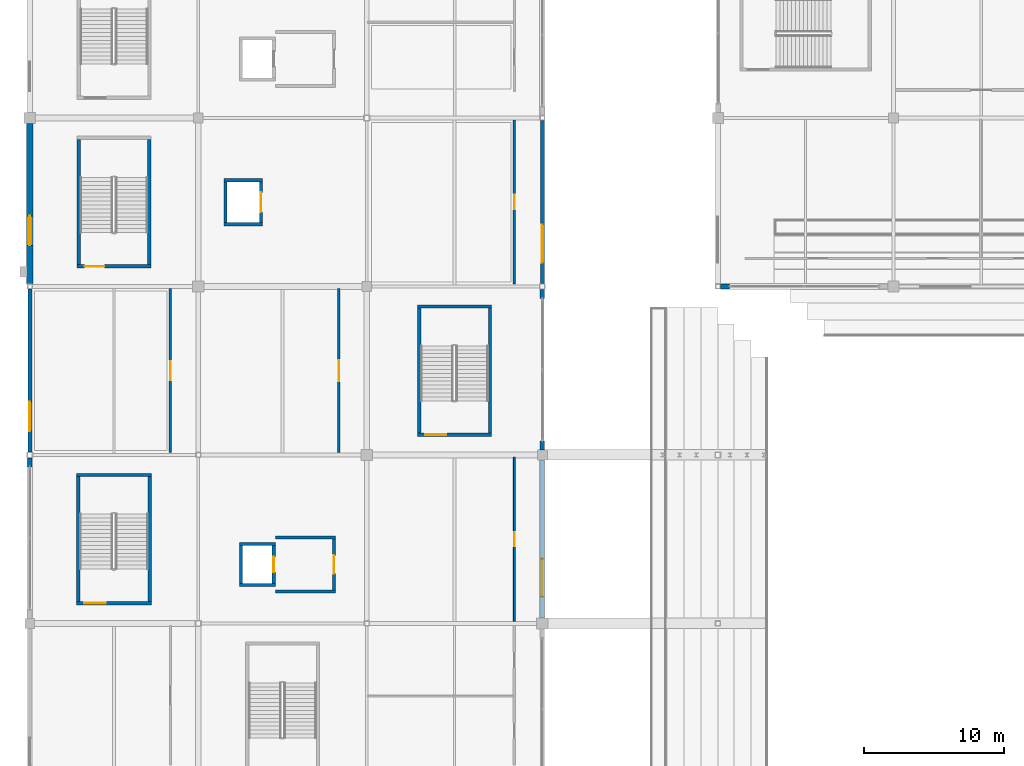
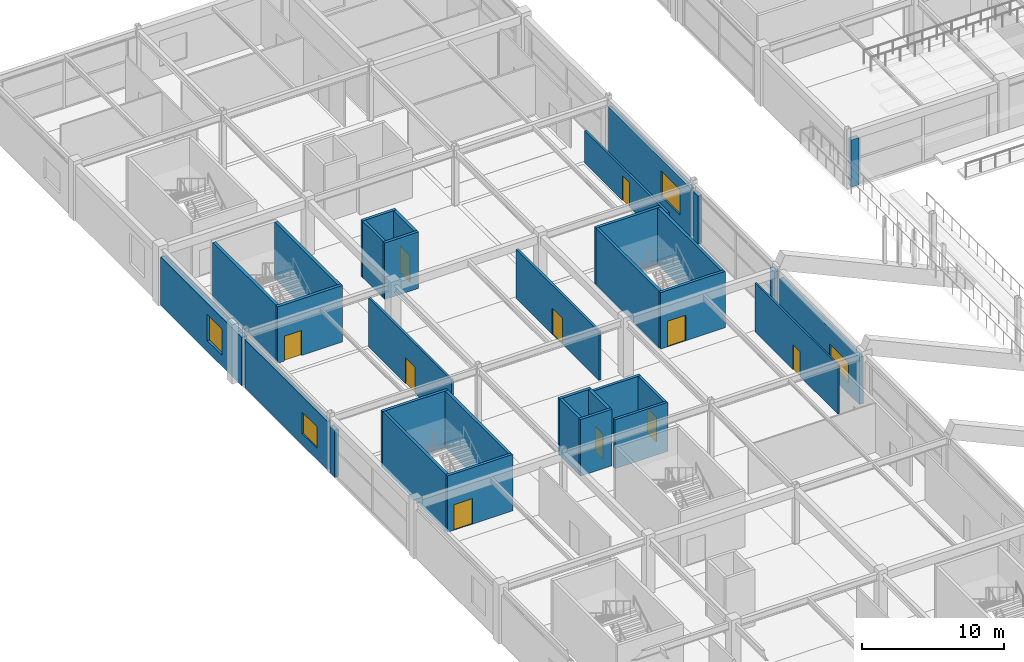
# One storey, part 89 of 128: 34 walls, 10 doors, 4 windows, 14 openings.
"""IFC4 building model written with IfcOpenShell, lengths in metres."""

from ifc_helpers import new_model, si_unit, direction, frame, frame_2d, origin, place, context, subcontext, project, spatial, rectangle, extrude, material, layer, layer_set, type_object, element, fill, save


model = new_model("IFC4")

# Units and contexts
model_context = context("Model", 3, precision=1e-05, world=origin(), true_north=direction((0.0, 1.0)))
body_context = subcontext(model_context, "Body", "Model", "MODEL_VIEW")
ifc_project = project(units=[si_unit("LENGTHUNIT", "METRE"), si_unit("AREAUNIT", "SQUARE_METRE"), si_unit("VOLUMEUNIT", "CUBIC_METRE"), si_unit("PLANEANGLEUNIT", "RADIAN"), si_unit("MASSUNIT", "GRAM", prefix="KILO")], contexts=[model_context])

# Site, building, storey
site_placement = place(None, origin())
site = spatial("IfcSite", under=ifc_project, at=site_placement, CompositionType="ELEMENT")
building_placement = place(site_placement, origin())
building = spatial("IfcBuilding", under=site, at=building_placement, Name="Kazenohara Klinker Stadium", CompositionType="ELEMENT")
storey_placement = place(building_placement, frame((0.0, 0.0, 15.300048828125)))
storey = spatial("IfcBuildingStorey", under=building, at=storey_placement, Name="L03", CompositionType="ELEMENT", Elevation=15.300048828125)

# Wall, opening, door
ifc_material_1 = material(Name="Concrete C40/50", Category="concrete")
ifc_layer_1 = layer(ifc_material_1, 0.22998046875)
ifc_layer_set_1 = layer_set([ifc_layer_1], Name="Concrete C40/50")
wall_type_1 = type_object("IfcWallType", Name="WAL-CORE-230", PredefinedType="SHEAR", material=ifc_layer_set_1)
wall_1_placement = place(storey_placement, frame((3.340087890625, 109.43505859375, 0.0), z_axis=(0.0, 0.0, 1.0), x_axis=(1.0, 0.0, 0.0)))
wall_1 = element("IfcWall", 1, at=wall_1_placement, inside=storey, type_object=wall_type_1, Name="Stairwell shear wall ST04 L03 South", PredefinedType="SHEAR", context=body_context, shape_type="SweptSolid", body=[
    extrude(rectangle(XDim=5.31982421875, YDim=0.22998046875, at=frame_2d((2.659912109375, 0.0))), origin(), (0.0, 0.0, 1.0), 4.85986328125),
])
opening_1_placement = place(wall_1_placement, frame((0.550048828125, 0.0, 0.0)))
opening_1 = element("IfcOpeningElement", 2, at=opening_1_placement, cuts=wall_1, Name="Opening SD02", PredefinedType="OPENING", context=body_context, shape_type="SweptSolid", body=[
    extrude(rectangle(XDim=1.5, YDim=2.199951171875, at=frame_2d((0.75, 1.10009765625))), frame((0.0, 0.125, 0.0), z_axis=(0.0, -1.0, 0.0), x_axis=(1.0, 0.0, 0.0)), (0.0, 0.0, 1.0), 0.25),
])
ifc_material_2 = material(Name="Flush painted steel fire door leaf", Category="steel")
door_type_1 = type_object("IfcDoorType", Name="DR-STR-1500x2200", OperationType="NOTDEFINED", PredefinedType="DOOR", material=ifc_material_2)
door_1_placement = place(opening_1_placement, origin())
door_1 = element("IfcDoor", 3, at=door_1_placement, inside=storey, type_object=door_type_1, Name="Escape stairwell fire door ST04-L03", OperationType="SINGLE_SWING_RIGHT", OverallHeight=2.199951171875, OverallWidth=1.5, PredefinedType="DOOR", context=body_context, shape_type="SweptSolid", body=[
    extrude(rectangle(XDim=1.5, YDim=2.199951171875, at=frame_2d((0.75, 1.10009765625))), frame((0.0, 0.02490234375, 0.0), z_axis=(0.0, -1.0, 0.0), x_axis=(1.0, 0.0, 0.0)), (0.0, 0.0, 1.0), 0.050048828125),
])
fill(opening_1, door_1)

# Walls
wall_2_placement = place(storey_placement, frame((3.340087890625, 118.56494140625, 0.0), z_axis=(0.0, 0.0, 1.0), x_axis=(1.0, 0.0, 0.0)))
element("IfcWall", 4, at=wall_2_placement, inside=storey, type_object=wall_type_1, Name="Stairwell shear wall ST04 L03 North", PredefinedType="SHEAR", context=body_context, shape_type="SweptSolid", body=[
    extrude(rectangle(XDim=5.31982421875, YDim=0.22998046875, at=frame_2d((2.659912109375, 0.0))), origin(), (0.0, 0.0, 1.0), 4.85986328125),
])
for number, where, z_axis, x_axis, name in (
    (5, (3.455078125, 109.550048828125, 0.0), (0.0, 0.0, 1.0), (0.0, 1.0, 0.0), "Stairwell shear wall ST04 L03 West"),
    (6, (8.544921875, 109.550048828125, 0.0), (0.0, 0.0, 1.0), (0.0, 1.0, 0.0), "Stairwell shear wall ST04 L03 East"),
):
    element("IfcWall", number, at=place(storey_placement, frame(where, z_axis=z_axis, x_axis=x_axis)), inside=storey, type_object=wall_type_1, Name=name, PredefinedType="SHEAR", context=body_context, shape_type="SweptSolid", body=[
        extrude(rectangle(XDim=8.89990234375, YDim=0.22998046875, at=frame_2d((4.449951171875, 0.0))), origin(), (0.0, 0.0, 1.0), 4.85986328125),
    ])

# Wall, opening, door
wall_3_placement = place(storey_placement, frame((27.6201171875, 121.43505859375, 0.0), z_axis=(0.0, 0.0, 1.0), x_axis=(1.0, 0.0, 0.0)))
wall_3 = element("IfcWall", 7, at=wall_3_placement, inside=storey, type_object=wall_type_1, Name="Stairwell shear wall ST18 L03 South", PredefinedType="SHEAR", context=body_context, shape_type="SweptSolid", body=[
    extrude(rectangle(XDim=5.259765625, YDim=0.22998046875, at=frame_2d((2.6298828125, 0.0))), origin(), (0.0, 0.0, 1.0), 4.85986328125),
])
opening_2_placement = place(wall_3_placement, frame((0.550048828125, 0.0, 0.0)))
opening_2 = element("IfcOpeningElement", 8, at=opening_2_placement, cuts=wall_3, Name="Opening SD02", PredefinedType="OPENING", context=body_context, shape_type="SweptSolid", body=[
    extrude(rectangle(XDim=1.5, YDim=2.199951171875, at=frame_2d((0.75, 1.10009765625))), frame((0.0, 0.125, 0.0), z_axis=(0.0, -1.0, 0.0), x_axis=(1.0, 0.0, 0.0)), (0.0, 0.0, 1.0), 0.25),
])
door_2_placement = place(opening_2_placement, origin())
door_2 = element("IfcDoor", 9, at=door_2_placement, inside=storey, type_object=door_type_1, Name="Escape stairwell fire door ST18-L03", OperationType="SINGLE_SWING_LEFT", OverallHeight=2.199951171875, OverallWidth=1.5, PredefinedType="DOOR", context=body_context, shape_type="SweptSolid", body=[
    extrude(rectangle(XDim=1.5, YDim=2.199951171875, at=frame_2d((0.75, 1.10009765625))), frame((0.0, 0.02490234375, 0.0), z_axis=(0.0, -1.0, 0.0), x_axis=(1.0, 0.0, 0.0)), (0.0, 0.0, 1.0), 0.050048828125),
])
fill(opening_2, door_2)

# Walls
wall_4_placement = place(storey_placement, frame((27.6201171875, 130.56494140625, 0.0), z_axis=(0.0, 0.0, 1.0), x_axis=(1.0, 0.0, 0.0)))
element("IfcWall", 10, at=wall_4_placement, inside=storey, type_object=wall_type_1, Name="Stairwell shear wall ST18 L03 North", PredefinedType="SHEAR", context=body_context, shape_type="SweptSolid", body=[
    extrude(rectangle(XDim=5.259765625, YDim=0.22998046875, at=frame_2d((2.6298828125, 0.0))), origin(), (0.0, 0.0, 1.0), 4.85986328125),
])
for number, where, z_axis, x_axis, name in (
    (11, (27.735107421875, 121.550048828125, 0.0), (0.0, 0.0, 1.0), (0.0, 1.0, 0.0), "Stairwell shear wall ST18 L03 West"),
    (12, (32.764892578125, 121.550048828125, 0.0), (0.0, 0.0, 1.0), (0.0, 1.0, 0.0), "Stairwell shear wall ST18 L03 East"),
):
    element("IfcWall", number, at=place(storey_placement, frame(where, z_axis=z_axis, x_axis=x_axis)), inside=storey, type_object=wall_type_1, Name=name, PredefinedType="SHEAR", context=body_context, shape_type="SweptSolid", body=[
        extrude(rectangle(XDim=8.89990234375, YDim=0.22998046875, at=frame_2d((4.449951171875, 0.0))), origin(), (0.0, 0.0, 1.0), 4.85986328125),
    ])
for number, where, z_axis, x_axis, name in (
    (13, (14.919921875, 110.735107421875, 0.0), (0.0, 0.0, 1.0), (1.0, 0.0, 0.0), "Elevator shaft wall LF02 L03 South"),
    (14, (14.919921875, 113.6650390625, 0.0), (0.0, 0.0, 1.0), (1.0, 0.0, 0.0), "Elevator shaft wall LF02 L03 North"),
):
    element("IfcWall", number, at=place(storey_placement, frame(where, z_axis=z_axis, x_axis=x_axis)), inside=storey, type_object=wall_type_1, Name=name, PredefinedType="SHEAR", context=body_context, shape_type="SweptSolid", body=[
        extrude(rectangle(XDim=2.56005859375, YDim=0.22998046875, at=frame_2d((1.280029296875, 0.0))), origin(), (0.0, 0.0, 1.0), 4.85986328125),
    ])
wall_5_placement = place(storey_placement, frame((15.034912109375, 110.85009765625, 0.0), z_axis=(0.0, 0.0, 1.0), x_axis=(0.0, 1.0, 0.0)))
element("IfcWall", 15, at=wall_5_placement, inside=storey, type_object=wall_type_1, Name="Elevator shaft wall LF02 L03 West", PredefinedType="SHEAR", context=body_context, shape_type="SweptSolid", body=[
    extrude(rectangle(XDim=2.699951171875, YDim=0.22998046875, at=frame_2d((1.35009765625, 0.0))), origin(), (0.0, 0.0, 1.0), 4.85986328125),
])

# Wall, opening, door
wall_6_placement = place(storey_placement, frame((17.364990234375, 110.85009765625, 0.0), z_axis=(0.0, 0.0, 1.0), x_axis=(0.0, 1.0, 0.0)))
wall_6 = element("IfcWall", 16, at=wall_6_placement, inside=storey, type_object=wall_type_1, Name="Elevator shaft wall LF02 L03 East", PredefinedType="SHEAR", context=body_context, shape_type="SweptSolid", body=[
    extrude(rectangle(XDim=2.699951171875, YDim=0.22998046875, at=frame_2d((1.35009765625, 0.0))), origin(), (0.0, 0.0, 1.0), 4.85986328125),
])
opening_3_placement = place(wall_6_placement, frame((0.800048828125, 0.0, 0.0)))
opening_3 = element("IfcOpeningElement", 17, at=opening_3_placement, cuts=wall_6, Name="Opening LD01", PredefinedType="OPENING", context=body_context, shape_type="SweptSolid", body=[
    extrude(rectangle(XDim=1.10009765625, YDim=2.14990234375, at=frame_2d((0.550048828125, 1.074951171875))), frame((0.0, 0.125, 0.0), z_axis=(0.0, -1.0, 0.0), x_axis=(1.0, 0.0, 0.0)), (0.0, 0.0, 1.0), 0.25),
])
ifc_material_3 = material(Name="Stainless steel fire-rated sliding landing door", Category="steel")
door_type_2 = type_object("IfcDoorType", Name="DR-LD01-1100x2150", OperationType="NOTDEFINED", PredefinedType="DOOR", material=ifc_material_3)
door_3_placement = place(opening_3_placement, origin())
door_3 = element("IfcDoor", 18, at=door_3_placement, inside=storey, type_object=door_type_2, Name="Elevator sliding landing door LF02-L03", OperationType="DOUBLE_DOOR_SLIDING", OverallHeight=2.14990234375, OverallWidth=1.10009765625, PredefinedType="DOOR", context=body_context, shape_type="SweptSolid", body=[
    extrude(rectangle(XDim=1.10009765625, YDim=2.14990234375, at=frame_2d((0.550048828125, 1.074951171875))), frame((0.0, 0.02490234375, 0.0), z_axis=(0.0, -1.0, 0.0), x_axis=(1.0, 0.0, 0.0)), (0.0, 0.0, 1.0), 0.050048828125),
])
fill(opening_3, door_3)

# Walls
for number, where, z_axis, x_axis, name in (
    (19, (13.820068359375, 136.43505859375, 0.0), (0.0, 0.0, 1.0), (1.0, 0.0, 0.0), "Elevator shaft wall LG01 L03 South"),
    (20, (13.820068359375, 139.56494140625, 0.0), (0.0, 0.0, 1.0), (1.0, 0.0, 0.0), "Elevator shaft wall LG01 L03 North"),
):
    element("IfcWall", number, at=place(storey_placement, frame(where, z_axis=z_axis, x_axis=x_axis)), inside=storey, type_object=wall_type_1, Name=name, PredefinedType="SHEAR", context=body_context, shape_type="SweptSolid", body=[
        extrude(rectangle(XDim=2.760009765625, YDim=0.22998046875, at=frame_2d((1.3798828125, 0.0))), origin(), (0.0, 0.0, 1.0), 4.85986328125),
    ])
wall_7_placement = place(storey_placement, frame((13.93505859375, 136.550048828125, 0.0), z_axis=(0.0, 0.0, 1.0), x_axis=(0.0, 1.0, 0.0)))
element("IfcWall", 21, at=wall_7_placement, inside=storey, type_object=wall_type_1, Name="Elevator shaft wall LG01 L03 West", PredefinedType="SHEAR", context=body_context, shape_type="SweptSolid", body=[
    extrude(rectangle(XDim=2.89990234375, YDim=0.22998046875, at=frame_2d((1.449951171875, 0.0))), origin(), (0.0, 0.0, 1.0), 4.85986328125),
])

# Wall, opening, door
wall_8_placement = place(storey_placement, frame((16.465087890625, 136.550048828125, 0.0), z_axis=(0.0, 0.0, 1.0), x_axis=(0.0, 1.0, 0.0)))
wall_8 = element("IfcWall", 22, at=wall_8_placement, inside=storey, type_object=wall_type_1, Name="Elevator shaft wall LG01 L03 East", PredefinedType="SHEAR", context=body_context, shape_type="SweptSolid", body=[
    extrude(rectangle(XDim=2.89990234375, YDim=0.22998046875, at=frame_2d((1.449951171875, 0.0))), origin(), (0.0, 0.0, 1.0), 4.85986328125),
])
opening_4_placement = place(wall_8_placement, frame((0.75, 0.0, 0.0)))
opening_4 = element("IfcOpeningElement", 23, at=opening_4_placement, cuts=wall_8, Name="Opening LD03", PredefinedType="OPENING", context=body_context, shape_type="SweptSolid", body=[
    extrude(rectangle(XDim=1.39990234375, YDim=2.25, at=frame_2d((0.699951171875, 1.125))), frame((0.0, 0.125, 0.0), z_axis=(0.0, -1.0, 0.0), x_axis=(1.0, 0.0, 0.0)), (0.0, 0.0, 1.0), 0.25),
])
ifc_material_4 = material(Name="Heavy-duty stainless steel sliding goods landing door", Category="steel")
door_type_3 = type_object("IfcDoorType", Name="DR-LD03-1400x2250", OperationType="NOTDEFINED", PredefinedType="DOOR", material=ifc_material_4)
door_4_placement = place(opening_4_placement, origin())
door_4 = element("IfcDoor", 24, at=door_4_placement, inside=storey, type_object=door_type_3, Name="Elevator sliding landing door LG01-L03", OperationType="DOUBLE_DOOR_SLIDING", OverallHeight=2.25, OverallWidth=1.39990234375, PredefinedType="DOOR", context=body_context, shape_type="SweptSolid", body=[
    extrude(rectangle(XDim=1.39990234375, YDim=2.25, at=frame_2d((0.699951171875, 1.125))), frame((0.0, 0.02490234375, 0.0), z_axis=(0.0, -1.0, 0.0), x_axis=(1.0, 0.0, 0.0)), (0.0, 0.0, 1.0), 0.050048828125),
])
fill(opening_4, door_4)

ifc_layer_2 = layer(ifc_material_1, 0.25)
ifc_layer_set_2 = layer_set([ifc_layer_2], Name="Concrete C40/50")
wall_type_2 = type_object("IfcWallType", Name="WAL-CORE-250", PredefinedType="SHEAR", material=ifc_layer_set_2)
wall_9_placement = place(storey_placement, frame((3.360107421875, 133.425048828125, 0.0), z_axis=(0.0, 0.0, 1.0), x_axis=(1.0, 0.0, 0.0)))
wall_9 = element("IfcWall", 25, at=wall_9_placement, inside=storey, type_object=wall_type_2, Name="Stairwell shear wall ST05 L03 South", PredefinedType="SHEAR", context=body_context, shape_type="SweptSolid", body=[
    extrude(rectangle(XDim=5.27978515625, YDim=0.25, at=frame_2d((2.639892578125, 0.0))), origin(), (0.0, 0.0, 1.0), 4.85986328125),
])
opening_5_placement = place(wall_9_placement, frame((0.550048828125, 0.0, 0.0)))
opening_5 = element("IfcOpeningElement", 26, at=opening_5_placement, cuts=wall_9, Name="Opening SD01", PredefinedType="OPENING", context=body_context, shape_type="SweptSolid", body=[
    extrude(rectangle(XDim=1.39990234375, YDim=2.14990234375, at=frame_2d((0.699951171875, 1.074951171875))), frame((0.0, 0.135009765625, 0.0), z_axis=(0.0, -1.0, 0.0), x_axis=(1.0, 0.0, 0.0)), (0.0, 0.0, 1.0), 0.27001953125),
])
door_type_4 = type_object("IfcDoorType", Name="DR-STR-1400x2150", OperationType="NOTDEFINED", PredefinedType="DOOR", material=ifc_material_2)
door_5_placement = place(opening_5_placement, origin())
door_5 = element("IfcDoor", 27, at=door_5_placement, inside=storey, type_object=door_type_4, Name="Escape stairwell fire door ST05-L03", OperationType="SINGLE_SWING_LEFT", OverallHeight=2.14990234375, OverallWidth=1.39990234375, PredefinedType="DOOR", context=body_context, shape_type="SweptSolid", body=[
    extrude(rectangle(XDim=1.39990234375, YDim=2.14990234375, at=frame_2d((0.699951171875, 1.074951171875))), frame((0.0, 0.02490234375, 0.0), z_axis=(0.0, -1.0, 0.0), x_axis=(1.0, 0.0, 0.0)), (0.0, 0.0, 1.0), 0.050048828125),
])
fill(opening_5, door_5)

# Walls
for number, where, z_axis, x_axis, name in (
    (28, (3.485107421875, 133.550048828125, 0.0), (0.0, 0.0, 1.0), (0.0, 1.0, 0.0), "Stairwell shear wall ST05 L03 West"),
    (29, (8.514892578125, 133.550048828125, 0.0), (0.0, 0.0, 1.0), (0.0, 1.0, 0.0), "Stairwell shear wall ST05 L03 East"),
):
    element("IfcWall", number, at=place(storey_placement, frame(where, z_axis=z_axis, x_axis=x_axis)), inside=storey, type_object=wall_type_2, Name=name, PredefinedType="SHEAR", context=body_context, shape_type="SweptSolid", body=[
        extrude(rectangle(XDim=8.89990234375, YDim=0.25, at=frame_2d((4.449951171875, 0.0))), origin(), (0.0, 0.0, 1.0), 4.85986328125),
    ])

# Wall, opening, window
ifc_material_5 = material(Name="Clinker brick masonry", Category="masonry")
ifc_layer_3 = layer(ifc_material_5, 0.280029296875)
ifc_layer_set_3 = layer_set([ifc_layer_3], Name="Clinker brick masonry")
wall_type_3 = type_object("IfcWallType", Name="WAL-EXT-CB280", PredefinedType="SOLIDWALL", material=ifc_layer_set_3)
wall_10_placement = place(storey_placement, frame((0.0, 120.2041015625, 0.0), z_axis=(0.0, 0.0, 1.0), x_axis=(0.0, 1.0, 0.0)))
wall_10 = element("IfcWall", 30, at=wall_10_placement, inside=storey, type_object=wall_type_3, Name="Clinker brick cavity wall EW06 L03 Y0-10", PredefinedType="SOLIDWALL", context=body_context, shape_type="SweptSolid", body=[
    extrude(rectangle(XDim=11.616943359375, YDim=0.280029296875, at=frame_2d((5.80859375, 0.0))), origin(), (0.0, 0.0, 1.0), 4.159912109375),
])
opening_6_placement = place(wall_10_placement, frame((1.5, 0.0, 0.949951171875)))
opening_6 = element("IfcOpeningElement", 31, at=opening_6_placement, cuts=wall_10, Name="Opening W18", PredefinedType="OPENING", context=body_context, shape_type="SweptSolid", body=[
    extrude(rectangle(XDim=2.10009765625, YDim=1.85009765625, at=frame_2d((1.050048828125, 0.925048828125))), frame((0.0, 0.14990234375, 0.0), z_axis=(0.0, -1.0, 0.0), x_axis=(1.0, 0.0, 0.0)), (0.0, 0.0, 1.0), 0.300048828125),
])
ifc_material_6 = material(Name="Dark bronze aluminium frame and triple glazing", Category="aluminium")
window_type_1 = type_object("IfcWindowType", Name="WIN-AS-18", PartitioningType="SINGLE_PANEL", PredefinedType="WINDOW", material=ifc_material_6)
window_1_placement = place(opening_6_placement, origin())
window_1 = element("IfcWindow", 32, at=window_1_placement, inside=storey, type_object=window_type_1, Name="Horizontal-mullion ladder window W18 L03 Y0-10", OverallHeight=1.85009765625, OverallWidth=2.10009765625, PartitioningType="SINGLE_PANEL", PredefinedType="WINDOW", context=body_context, shape_type="SweptSolid", body=[
    extrude(rectangle(XDim=2.10009765625, YDim=1.85009765625, at=frame_2d((1.050048828125, 0.925048828125))), frame((0.0, 0.030029296875, 0.0), z_axis=(0.0, -1.0, 0.0), x_axis=(1.0, 0.0, 0.0)), (0.0, 0.0, 1.0), 0.06005859375),
])
fill(opening_6, window_1)

wall_11_placement = place(storey_placement, frame((36.5, 132.2041015625, 0.0), z_axis=(0.0, 0.0, 1.0), x_axis=(0.0, 1.0, 0.0)))
wall_11 = element("IfcWall", 33, at=wall_11_placement, inside=storey, type_object=wall_type_3, Name="Clinker brick cavity wall EW06 L03 Y3-11", PredefinedType="SOLIDWALL", context=body_context, shape_type="SweptSolid", body=[
    extrude(rectangle(XDim=11.616943359375, YDim=0.280029296875, at=frame_2d((5.80859375, 0.0))), origin(), (0.0, 0.0, 1.0), 4.171875),
])
opening_7_placement = place(wall_11_placement, frame((1.5, 0.0, 0.949951171875)))
opening_7 = element("IfcOpeningElement", 34, at=opening_7_placement, cuts=wall_11, Name="Opening W28", PredefinedType="OPENING", context=body_context, shape_type="SweptSolid", body=[
    extrude(rectangle(XDim=2.699951171875, YDim=2.199951171875, at=frame_2d((1.35009765625, 1.10009765625))), frame((0.0, 0.14990234375, 0.0), z_axis=(0.0, -1.0, 0.0), x_axis=(1.0, 0.0, 0.0)), (0.0, 0.0, 1.0), 0.300048828125),
])
window_type_2 = type_object("IfcWindowType", Name="WIN-AS-28", PartitioningType="SINGLE_PANEL", PredefinedType="WINDOW", material=ifc_material_6)
window_2_placement = place(opening_7_placement, origin())
window_2 = element("IfcWindow", 35, at=window_2_placement, inside=storey, type_object=window_type_2, Name="Horizontal-mullion ladder window W28 L03 Y3-11", OverallHeight=2.199951171875, OverallWidth=2.699951171875, PartitioningType="SINGLE_PANEL", PredefinedType="WINDOW", context=body_context, shape_type="SweptSolid", body=[
    extrude(rectangle(XDim=2.699951171875, YDim=2.199951171875, at=frame_2d((1.35009765625, 1.10009765625))), frame((0.0, 0.030029296875, 0.0), z_axis=(0.0, -1.0, 0.0), x_axis=(1.0, 0.0, 0.0)), (0.0, 0.0, 1.0), 0.06005859375),
])
fill(opening_7, window_2)

# Wall
ifc_layer_4 = layer(ifc_material_5, 0.340087890625)
ifc_layer_set_4 = layer_set([ifc_layer_4], Name="Clinker brick masonry")
wall_type_4 = type_object("IfcWallType", Name="WAL-EXT-CB340", PredefinedType="SOLIDWALL", material=ifc_layer_set_4)
wall_12_placement = place(storey_placement, frame((0.0, 119.14599609375, 0.0), z_axis=(0.0, 0.0, 1.0), x_axis=(0.0, 1.0, 0.0)))
element("IfcWall", 36, at=wall_12_placement, inside=storey, type_object=wall_type_4, Name="Clinker brick curtain-wall jamb pier L03 Y0-9 B", PredefinedType="SOLIDWALL", context=body_context, shape_type="SweptSolid", body=[
    extrude(rectangle(XDim=0.64990234375, YDim=0.340087890625, at=frame_2d((0.324951171875, 0.0))), origin(), (0.0, 0.0, 1.0), 4.06005859375),
])

# Wall, opening, window
wall_13_placement = place(storey_placement, frame((36.5, 108.404052734375, 0.0), z_axis=(0.0, 0.0, 1.0), x_axis=(0.0, 1.0, 0.0)))
wall_13 = element("IfcWall", 37, at=wall_13_placement, inside=storey, type_object=wall_type_4, Name="Clinker brick cavity wall EW04 L03 Y3-9", PredefinedType="SOLIDWALL", context=body_context, shape_type="SweptSolid", body=[
    extrude(rectangle(XDim=11.241943359375, YDim=0.340087890625, at=frame_2d((5.62109375, 0.0))), origin(), (0.0, 0.0, 1.0), 4.06005859375),
])
opening_8_placement = place(wall_13_placement, frame((1.5, 0.0, 0.949951171875)))
opening_8 = element("IfcOpeningElement", 38, at=opening_8_placement, cuts=wall_13, Name="Opening W27", PredefinedType="OPENING", context=body_context, shape_type="SweptSolid", body=[
    extrude(rectangle(XDim=2.699951171875, YDim=1.75, at=frame_2d((1.35009765625, 0.875))), frame((0.0, 0.18017578125, 0.0), z_axis=(0.0, -1.0, 0.0), x_axis=(1.0, 0.0, 0.0)), (0.0, 0.0, 1.0), 0.360107421875),
])
window_type_3 = type_object("IfcWindowType", Name="WIN-AS-27", PartitioningType="SINGLE_PANEL", PredefinedType="WINDOW", material=ifc_material_6)
window_3_placement = place(opening_8_placement, origin())
window_3 = element("IfcWindow", 39, at=window_3_placement, inside=storey, type_object=window_type_3, Name="Horizontal-mullion ladder window W27 L03 Y3-9", OverallHeight=1.75, OverallWidth=2.699951171875, PartitioningType="SINGLE_PANEL", PredefinedType="WINDOW", context=body_context, shape_type="SweptSolid", body=[
    extrude(rectangle(XDim=2.699951171875, YDim=1.75, at=frame_2d((1.35009765625, 0.875))), frame((0.0, 0.030029296875, 0.0), z_axis=(0.0, -1.0, 0.0), x_axis=(1.0, 0.0, 0.0)), (0.0, 0.0, 1.0), 0.06005859375),
])
fill(opening_8, window_3)

# Walls
for number, where, z_axis, x_axis, name in (
    (40, (36.5, 120.35400390625, 0.0), (0.0, 0.0, 1.0), (0.0, 1.0, 0.0), "Clinker brick curtain-wall jamb pier L03 Y3-10 A"),
    (41, (36.5, 131.14599609375, 0.0), (0.0, 0.0, 1.0), (0.0, 1.0, 0.0), "Clinker brick curtain-wall jamb pier L03 Y3-10 B"),
):
    element("IfcWall", number, at=place(storey_placement, frame(where, z_axis=z_axis, x_axis=x_axis)), inside=storey, type_object=wall_type_4, Name=name, PredefinedType="SOLIDWALL", context=body_context, shape_type="SweptSolid", body=[
        extrude(rectangle(XDim=0.64990234375, YDim=0.340087890625, at=frame_2d((0.324951171875, 0.0))), origin(), (0.0, 0.0, 1.0), 4.159912109375),
    ])
wall_14_placement = place(storey_placement, frame((49.178955078125, 132.0, 0.0), z_axis=(0.0, 0.0, 1.0), x_axis=(1.0, 0.0, 0.0)))
element("IfcWall", 42, at=wall_14_placement, inside=storey, type_object=wall_type_4, Name="Clinker brick curtain-wall jamb pier L03 X4-11 A", PredefinedType="SOLIDWALL", context=body_context, shape_type="SweptSolid", body=[
    extrude(rectangle(XDim=0.650146484375, YDim=0.340087890625, at=frame_2d((0.3251953125, 0.0))), origin(), (0.0, 0.0, 1.0), 4.06005859375),
])

# Wall, opening, window
ifc_layer_5 = layer(ifc_material_5, 0.449951171875)
ifc_layer_set_5 = layer_set([ifc_layer_5], Name="Clinker brick masonry")
wall_type_5 = type_object("IfcWallType", Name="WAL-EXT-CB450", PredefinedType="SOLIDWALL", material=ifc_layer_set_5)
wall_15_placement = place(storey_placement, frame((0.0, 132.178955078125, 0.0), z_axis=(0.0, 0.0, 1.0), x_axis=(0.0, 1.0, 0.0)))
wall_15 = element("IfcWall", 43, at=wall_15_placement, inside=storey, type_object=wall_type_5, Name="Clinker brick cavity wall EW01 L03 Y0-11", PredefinedType="SOLIDWALL", context=body_context, shape_type="SweptSolid", body=[
    extrude(rectangle(XDim=11.4169921875, YDim=0.449951171875, at=frame_2d((5.70849609375, 0.0))), origin(), (0.0, 0.0, 1.0), 4.171875),
])
opening_9_placement = place(wall_15_placement, frame((2.75, 0.0, 0.949951171875)))
opening_9 = element("IfcOpeningElement", 44, at=opening_9_placement, cuts=wall_15, Name="Opening W19", PredefinedType="OPENING", context=body_context, shape_type="SweptSolid", body=[
    extrude(rectangle(XDim=2.10009765625, YDim=2.25, at=frame_2d((1.050048828125, 1.125))), frame((0.0, 0.23486328125, 0.0), z_axis=(0.0, -1.0, 0.0), x_axis=(1.0, 0.0, 0.0)), (0.0, 0.0, 1.0), 0.469970703125),
])
window_type_4 = type_object("IfcWindowType", Name="WIN-AS-19", PartitioningType="SINGLE_PANEL", PredefinedType="WINDOW", material=ifc_material_6)
window_4_placement = place(opening_9_placement, origin())
window_4 = element("IfcWindow", 45, at=window_4_placement, inside=storey, type_object=window_type_4, Name="Horizontal-mullion ladder window W19 L03 Y0-11", OverallHeight=2.25, OverallWidth=2.10009765625, PartitioningType="SINGLE_PANEL", PredefinedType="WINDOW", context=body_context, shape_type="SweptSolid", body=[
    extrude(rectangle(XDim=2.10009765625, YDim=2.25, at=frame_2d((1.050048828125, 1.125))), frame((0.0, 0.030029296875, 0.0), z_axis=(0.0, -1.0, 0.0), x_axis=(1.0, 0.0, 0.0)), (0.0, 0.0, 1.0), 0.06005859375),
])
fill(opening_9, window_4)

# Walls
ifc_layer_6 = layer(ifc_material_1, 0.219970703125)
ifc_layer_set_6 = layer_set([ifc_layer_6], Name="Concrete C40/50")
wall_type_6 = type_object("IfcWallType", Name="WAL-INT-FF220", PredefinedType="SOLIDWALL", material=ifc_layer_set_6)
for number, where, z_axis, x_axis, name in (
    (46, (17.47998046875, 110.2900390625, 0.0), (0.0, 0.0, 1.0), (1.0, 0.0, 0.0), "Firefighting lobby wall LF02 L03 South"),
    (47, (17.47998046875, 114.110107421875, 0.0), (0.0, 0.0, 1.0), (1.0, 0.0, 0.0), "Firefighting lobby wall LF02 L03 North"),
):
    element("IfcWall", number, at=place(storey_placement, frame(where, z_axis=z_axis, x_axis=x_axis)), inside=storey, type_object=wall_type_6, Name=name, PredefinedType="SOLIDWALL", context=body_context, shape_type="SweptSolid", body=[
        extrude(rectangle(XDim=4.2900390625, YDim=0.219970703125, at=frame_2d((2.14501953125, 0.0))), origin(), (0.0, 0.0, 1.0), 4.219970703125),
    ])

# Wall, opening, door
wall_16_placement = place(storey_placement, frame((21.659912109375, 110.39990234375, 0.0), z_axis=(0.0, 0.0, 1.0), x_axis=(0.0, 1.0, 0.0)))
wall_16 = element("IfcWall", 48, at=wall_16_placement, inside=storey, type_object=wall_type_6, Name="Firefighting lobby front wall LF02 L03", PredefinedType="SOLIDWALL", context=body_context, shape_type="SweptSolid", body=[
    extrude(rectangle(XDim=3.60009765625, YDim=0.219970703125, at=frame_2d((1.800048828125, 0.0))), origin(), (0.0, 0.0, 1.0), 4.219970703125),
])
opening_10_placement = place(wall_16_placement, frame((1.14990234375, 0.0, 0.0)))
opening_10 = element("IfcOpeningElement", 49, at=opening_10_placement, cuts=wall_16, Name="Opening FD01", PredefinedType="OPENING", context=body_context, shape_type="SweptSolid", body=[
    extrude(rectangle(XDim=1.300048828125, YDim=2.14990234375, at=frame_2d((0.64990234375, 1.074951171875))), frame((0.0, 0.1201171875, 0.0), z_axis=(0.0, -1.0, 0.0), x_axis=(1.0, 0.0, 0.0)), (0.0, 0.0, 1.0), 0.239990234375),
])
ifc_material_7 = material(Name="Smoke-sealed steel fire lobby door", Category="steel")
door_type_5 = type_object("IfcDoorType", Name="DR-FFL-1300x2150", OperationType="NOTDEFINED", PredefinedType="DOOR", material=ifc_material_7)
door_6_placement = place(opening_10_placement, origin())
door_6 = element("IfcDoor", 50, at=door_6_placement, inside=storey, type_object=door_type_5, Name="Firefighting lobby smoke-sealed door LF02-L03", OperationType="SINGLE_SWING_RIGHT", OverallHeight=2.14990234375, OverallWidth=1.300048828125, PredefinedType="DOOR", context=body_context, shape_type="SweptSolid", body=[
    extrude(rectangle(XDim=1.300048828125, YDim=2.14990234375, at=frame_2d((0.64990234375, 1.074951171875))), frame((0.0, 0.02490234375, 0.0), z_axis=(0.0, -1.0, 0.0), x_axis=(1.0, 0.0, 0.0)), (0.0, 0.0, 1.0), 0.050048828125),
])
fill(opening_10, door_6)

ifc_material_8 = material(Name="Fire-rated gypsum board on acoustic studs", Category="gypsum")
ifc_layer_7 = layer(ifc_material_8, 0.139892578125)
ifc_layer_set_7 = layer_set([ifc_layer_7], Name="Fire-rated gypsum board on acoustic studs")
wall_type_7 = type_object("IfcWallType", Name="WAL-INT-P140", PredefinedType="PARTITIONING", material=ifc_layer_set_7)
wall_17_placement = place(storey_placement, frame((34.510009765625, 108.159912109375, 0.0), z_axis=(0.0, 0.0, 1.0), x_axis=(0.0, 1.0, 0.0)))
wall_17 = element("IfcWall", 51, at=wall_17_placement, inside=storey, type_object=wall_type_7, Name="Interior partition wall PT03 SPC-L03-02-09-1-1", PredefinedType="PARTITIONING", context=body_context, shape_type="SweptSolid", body=[
    extrude(rectangle(XDim=11.68017578125, YDim=0.139892578125, at=frame_2d((5.840087890625, 0.0))), origin(), (0.0, 0.0, 1.0), 4.219970703125),
])
opening_11_placement = place(wall_17_placement, frame((5.340087890625, 0.0, 0.0)))
opening_11 = element("IfcOpeningElement", 52, at=opening_11_placement, cuts=wall_17, Name="Opening ID05", PredefinedType="OPENING", context=body_context, shape_type="SweptSolid", body=[
    extrude(rectangle(XDim=1.0, YDim=2.139892578125, at=frame_2d((0.5, 1.06982421875))), frame((0.0, 0.080078125, 0.0), z_axis=(0.0, -1.0, 0.0), x_axis=(1.0, 0.0, 0.0)), (0.0, 0.0, 1.0), 0.159912109375),
])
ifc_material_9 = material(Name="Solid-core Hokkaido oak fire door", Category="wood")
door_type_6 = type_object("IfcDoorType", Name="DR-INT-05", OperationType="NOTDEFINED", PredefinedType="DOOR", material=ifc_material_9)
door_7_placement = place(opening_11_placement, origin())
door_7 = element("IfcDoor", 53, at=door_7_placement, inside=storey, type_object=door_type_6, Name="Interior door ID05 Crowd Safety Monitoring Control Studio L03-0209A", OperationType="SINGLE_SWING_RIGHT", OverallHeight=2.139892578125, OverallWidth=1.0, PredefinedType="DOOR", context=body_context, shape_type="SweptSolid", body=[
    extrude(rectangle(XDim=1.0, YDim=2.139892578125, at=frame_2d((0.5, 1.06982421875))), frame((0.0, 0.02490234375, 0.0), z_axis=(0.0, -1.0, 0.0), x_axis=(1.0, 0.0, 0.0)), (0.0, 0.0, 1.0), 0.050048828125),
])
fill(opening_11, door_7)

ifc_layer_8 = layer(ifc_material_8, 0.169921875)
ifc_layer_set_8 = layer_set([ifc_layer_8], Name="Fire-rated gypsum board on acoustic studs")
wall_type_8 = type_object("IfcWallType", Name="WAL-INT-P170", PredefinedType="PARTITIONING", material=ifc_layer_set_8)
wall_18_placement = place(storey_placement, frame((10.010009765625, 120.159912109375, 0.0), z_axis=(0.0, 0.0, 1.0), x_axis=(0.0, 1.0, 0.0)))
wall_18 = element("IfcWall", 54, at=wall_18_placement, inside=storey, type_object=wall_type_8, Name="Interior partition wall PT05 SPC-L03-00-10-1-1", PredefinedType="PARTITIONING", context=body_context, shape_type="SweptSolid", body=[
    extrude(rectangle(XDim=11.68017578125, YDim=0.169921875, at=frame_2d((5.840087890625, 0.0))), origin(), (0.0, 0.0, 1.0), 4.219970703125),
])
opening_12_placement = place(wall_18_placement, frame((5.175048828125, 0.0, 0.0)))
opening_12 = element("IfcOpeningElement", 55, at=opening_12_placement, cuts=wall_18, Name="Opening ID16", PredefinedType="OPENING", context=body_context, shape_type="SweptSolid", body=[
    extrude(rectangle(XDim=1.330078125, YDim=2.219970703125, at=frame_2d((0.6650390625, 1.10986328125))), frame((0.0, 0.094970703125, 0.0), z_axis=(0.0, -1.0, 0.0), x_axis=(1.0, 0.0, 0.0)), (0.0, 0.0, 1.0), 0.18994140625),
])
door_type_7 = type_object("IfcDoorType", Name="DR-INT-16", OperationType="NOTDEFINED", PredefinedType="DOOR", material=ifc_material_9)
door_8_placement = place(opening_12_placement, origin())
door_8 = element("IfcDoor", 56, at=door_8_placement, inside=storey, type_object=door_type_7, Name="Interior door ID16 Concourse Cold-Climate Hospitality Lounge L03-0010A", OperationType="SINGLE_SWING_LEFT", OverallHeight=2.219970703125, OverallWidth=1.330078125, PredefinedType="DOOR", context=body_context, shape_type="SweptSolid", body=[
    extrude(rectangle(XDim=1.330078125, YDim=2.219970703125, at=frame_2d((0.6650390625, 1.10986328125))), frame((0.0, 0.02490234375, 0.0), z_axis=(0.0, -1.0, 0.0), x_axis=(1.0, 0.0, 0.0)), (0.0, 0.0, 1.0), 0.050048828125),
])
fill(opening_12, door_8)

wall_19_placement = place(storey_placement, frame((34.510009765625, 132.159912109375, 0.0), z_axis=(0.0, 0.0, 1.0), x_axis=(0.0, 1.0, 0.0)))
wall_19 = element("IfcWall", 57, at=wall_19_placement, inside=storey, type_object=wall_type_8, Name="Interior partition wall PT05 SPC-L03-02-11-1-1", PredefinedType="PARTITIONING", context=body_context, shape_type="SweptSolid", body=[
    extrude(rectangle(XDim=11.68017578125, YDim=0.169921875, at=frame_2d((5.840087890625, 0.0))), origin(), (0.0, 0.0, 1.0), 2.77001953125),
])
opening_13_placement = place(wall_19_placement, frame((5.324951171875, 0.0, 0.0)))
opening_13 = element("IfcOpeningElement", 58, at=opening_13_placement, cuts=wall_19, Name="Opening ID06", PredefinedType="OPENING", context=body_context, shape_type="SweptSolid", body=[
    extrude(rectangle(XDim=1.030029296875, YDim=2.1201171875, at=frame_2d((0.51513671875, 1.06005859375))), frame((0.0, 0.094970703125, 0.0), z_axis=(0.0, -1.0, 0.0), x_axis=(1.0, 0.0, 0.0)), (0.0, 0.0, 1.0), 0.18994140625),
])
door_type_8 = type_object("IfcDoorType", Name="DR-INT-06", OperationType="NOTDEFINED", PredefinedType="DOOR", material=ifc_material_9)
door_9_placement = place(opening_13_placement, origin())
door_9 = element("IfcDoor", 59, at=door_9_placement, inside=storey, type_object=door_type_8, Name="Interior door ID06 Upper Concourse Supporter Dining Pavilion L03-0211A", OperationType="SINGLE_SWING_LEFT", OverallHeight=2.1201171875, OverallWidth=1.030029296875, PredefinedType="DOOR", context=body_context, shape_type="SweptSolid", body=[
    extrude(rectangle(XDim=1.030029296875, YDim=2.1201171875, at=frame_2d((0.51513671875, 1.06005859375))), frame((0.0, 0.02490234375, 0.0), z_axis=(0.0, -1.0, 0.0), x_axis=(1.0, 0.0, 0.0)), (0.0, 0.0, 1.0), 0.050048828125),
])
fill(opening_13, door_9)

ifc_layer_9 = layer(ifc_material_8, 0.18994140625)
ifc_layer_set_9 = layer_set([ifc_layer_9], Name="Fire-rated gypsum board on acoustic studs")
wall_type_9 = type_object("IfcWallType", Name="WAL-INT-P190", PredefinedType="PARTITIONING", material=ifc_layer_set_9)
wall_20_placement = place(storey_placement, frame((22.010009765625, 120.159912109375, 0.0), z_axis=(0.0, 0.0, 1.0), x_axis=(0.0, 1.0, 0.0)))
wall_20 = element("IfcWall", 60, at=wall_20_placement, inside=storey, type_object=wall_type_9, Name="Interior partition wall PT06 SPC-L03-01-10-1-1", PredefinedType="PARTITIONING", context=body_context, shape_type="SweptSolid", body=[
    extrude(rectangle(XDim=11.68017578125, YDim=0.18994140625, at=frame_2d((5.840087890625, 0.0))), origin(), (0.0, 0.0, 1.0), 4.219970703125),
])
opening_14_placement = place(wall_20_placement, frame((5.10009765625, 0.0, 0.0)))
opening_14 = element("IfcOpeningElement", 61, at=opening_14_placement, cuts=wall_20, Name="Opening ID20", PredefinedType="OPENING", context=body_context, shape_type="SweptSolid", body=[
    extrude(rectangle(XDim=1.47998046875, YDim=2.239990234375, at=frame_2d((0.739990234375, 1.1201171875))), frame((0.0, 0.10498046875, 0.0), z_axis=(0.0, -1.0, 0.0), x_axis=(1.0, 0.0, 0.0)), (0.0, 0.0, 1.0), 0.2099609375),
])
ifc_material_10 = material(Name="Painted steel plant fire door", Category="steel")
door_type_9 = type_object("IfcDoorType", Name="DR-INT-20", OperationType="NOTDEFINED", PredefinedType="DOOR", material=ifc_material_10)
door_10_placement = place(opening_14_placement, origin())
door_10 = element("IfcDoor", 62, at=door_10_placement, inside=storey, type_object=door_type_9, Name="Interior door ID20 Upper Concourse Hot Beverage Bistro L03-0110A", OperationType="SINGLE_SWING_LEFT", OverallHeight=2.239990234375, OverallWidth=1.47998046875, PredefinedType="DOOR", context=body_context, shape_type="SweptSolid", body=[
    extrude(rectangle(XDim=1.47998046875, YDim=2.239990234375, at=frame_2d((0.739990234375, 1.1201171875))), frame((0.0, 0.02490234375, 0.0), z_axis=(0.0, -1.0, 0.0), x_axis=(1.0, 0.0, 0.0)), (0.0, 0.0, 1.0), 0.050048828125),
])
fill(opening_14, door_10)

save(model, "model.ifc")
